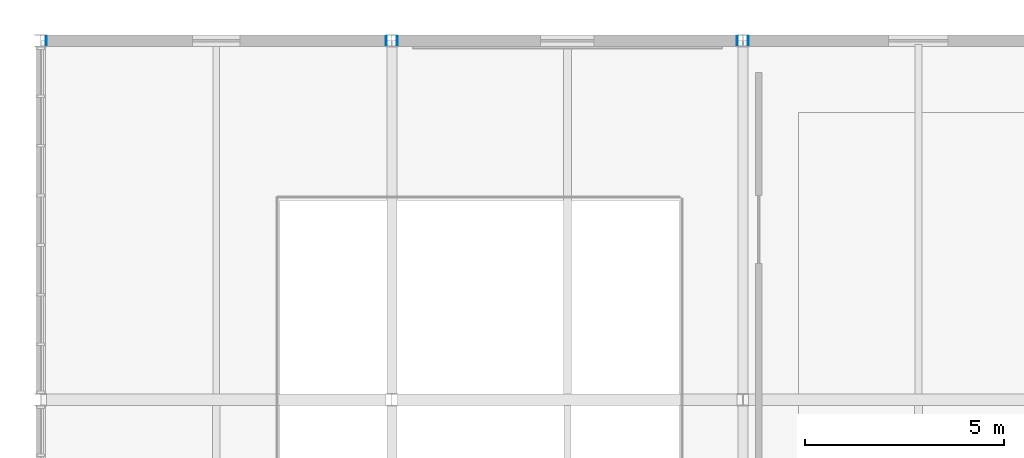
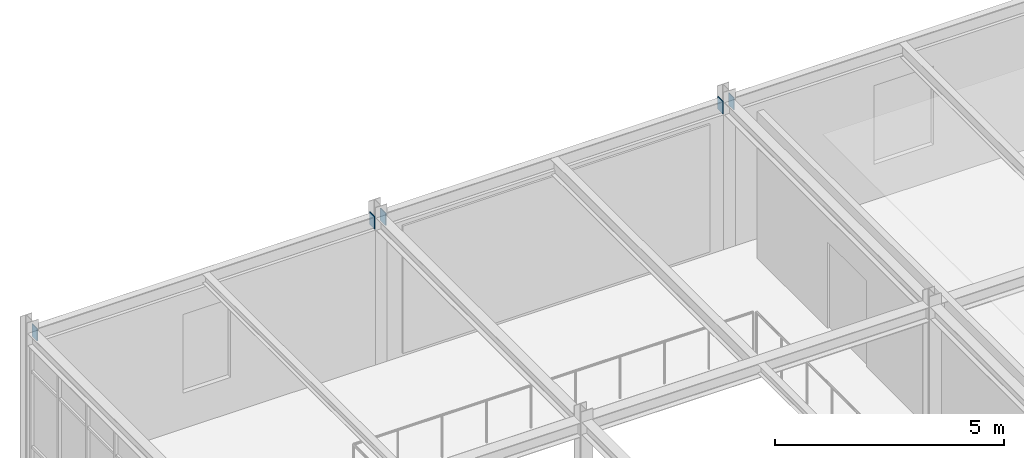
# One storey, part 64 of 88: 5 plates.
"""IFC4 building model written with IfcOpenShell, lengths in metres."""

from ifc_helpers import new_model, si_unit, direction, frame, origin, origin_2d, place, context, subcontext, project, spatial, rectangle, extrude, material, layer, layer_set, type_object, element, save


model = new_model("IFC4")

# Units and contexts
model_context = context("Model", 3, precision=1e-05, world=origin(), true_north=direction((0.0, 1.0)))
body_context = subcontext(model_context, "Body", "Model", "MODEL_VIEW")
ifc_project = project(units=[si_unit("LENGTHUNIT", "METRE"), si_unit("AREAUNIT", "SQUARE_METRE"), si_unit("VOLUMEUNIT", "CUBIC_METRE"), si_unit("PLANEANGLEUNIT", "RADIAN"), si_unit("MASSUNIT", "GRAM", prefix="KILO")], contexts=[model_context])

# Site, building, storey
site_placement = place(None, origin())
site = spatial("IfcSite", under=ifc_project, at=site_placement, CompositionType="ELEMENT")
building_placement = place(site_placement, origin())
building = spatial("IfcBuilding", under=site, at=building_placement, Name="Zhaolan Boulevard Law Courts", CompositionType="ELEMENT")
storey_placement = place(building_placement, frame((0.0, 0.0, 16.199951171875)))
storey = spatial("IfcBuildingStorey", under=building, at=storey_placement, Name="L03", CompositionType="ELEMENT", Elevation=16.199951171875)

# Plates
ifc_material = material(Name="Structural steel Q355B", Category="steel")
ifc_layer = layer(ifc_material, 0.02001953125)
ifc_layer_set = layer_set([ifc_layer])
plate_type = type_object("IfcPlateType", Name="END CAP PLATE 20", PredefinedType="SHEET", material=ifc_layer_set)
for number, where, z_axis, x_axis, name in (
    (1, (0.137939453125, 112.0, 3.60302734375), (0.0, 0.0, 1.0), (1.0, 0.0, 0.0), "Hollow Section End-Cap Plate ECP-0969"),
    (2, (8.662109375, 112.0, 3.60302734375), (0.0, 0.0, 1.0), (1.0, 0.0, 0.0), "Hollow Section End-Cap Plate ECP-0970"),
    (3, (8.93798828125, 112.0, 3.60302734375), (0.0, 0.0, 1.0), (1.0, 0.0, 0.0), "Hollow Section End-Cap Plate ECP-0971"),
    (4, (17.4619140625, 112.0, 3.60302734375), (0.0, 0.0, 1.0), (1.0, 0.0, 0.0), "Hollow Section End-Cap Plate ECP-0972"),
    (5, (17.738037109375, 112.0, 3.60302734375), (0.0, 0.0, 1.0), (1.0, 0.0, 0.0), "Hollow Section End-Cap Plate ECP-0973"),
):
    element("IfcPlate", number, at=place(storey_placement, frame(where, z_axis=z_axis, x_axis=x_axis)), inside=storey, type_object=plate_type, Name=name, PredefinedType="SHEET", context=body_context, shape_type="SweptSolid", body=[
        extrude(rectangle(XDim=0.02001953125, YDim=0.22998046875, at=origin_2d()), origin(), (0.0, 0.0, 1.0), 0.330078125),
    ])

save(model, "model.ifc")
